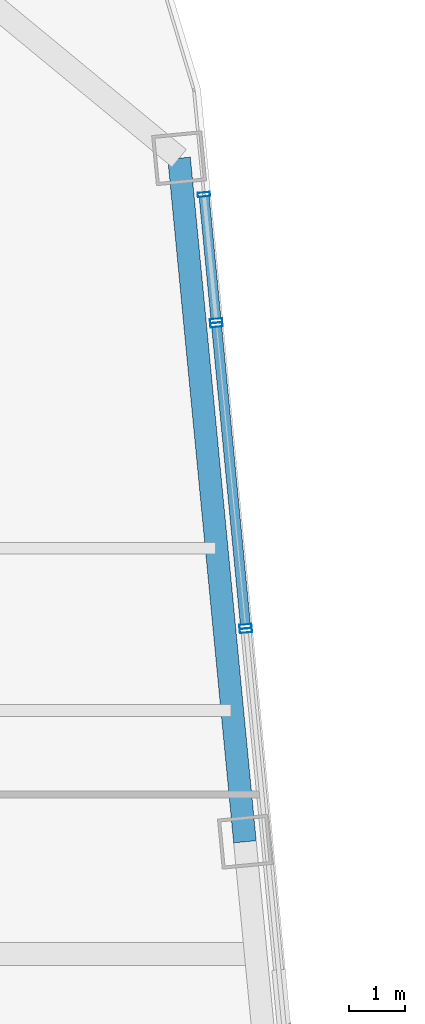
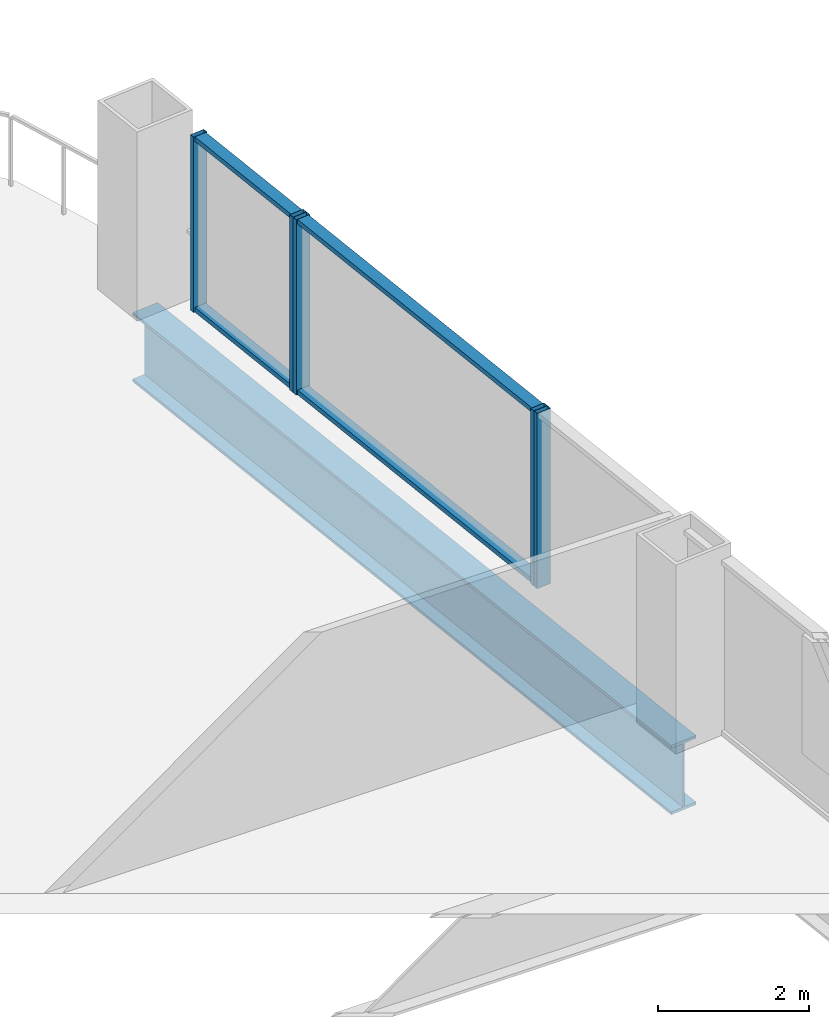
# One storey, part 19 of 26: 9 members, 1 beam, 3 elements without a shape of their own.
"""IFC4 building model written with IfcOpenShell, lengths in metres."""

from ifc_helpers import new_model, si_unit, direction, frame, origin, origin_2d, place, context, subcontext, project, spatial, hollow_rectangle, i_section, extrude, material, layer, layer_set, material_profile, profile_set, type_object, element, aggregate, save


model = new_model("IFC4")

# Units and contexts
model_context = context("Model", 3, precision=1e-05, world=origin(), true_north=direction((0.0, 1.0)))
body_context = subcontext(model_context, "Body", "Model", "MODEL_VIEW")
ifc_project = project(units=[si_unit("LENGTHUNIT", "METRE"), si_unit("AREAUNIT", "SQUARE_METRE"), si_unit("VOLUMEUNIT", "CUBIC_METRE"), si_unit("PLANEANGLEUNIT", "RADIAN"), si_unit("MASSUNIT", "GRAM", prefix="KILO")], contexts=[model_context])

# Site, building, storey
site_placement = place(None, origin())
site = spatial("IfcSite", under=ifc_project, at=site_placement, CompositionType="ELEMENT")
building_placement = place(site_placement, origin())
building = spatial("IfcBuilding", under=site, at=building_placement, Name="Qhalaya Broadcast Tower", CompositionType="ELEMENT")
storey_placement = place(building_placement, frame((0.0, 0.0, 72.5)))
storey = spatial("IfcBuildingStorey", under=building, at=storey_placement, Name="L20", CompositionType="ELEMENT", Elevation=72.5)

# Beam
ifc_material_1 = material(Name="Structural Steel ASTM A992 Grade 50", Category="steel")
ifc_material_profile_1 = material_profile(ifc_material_1, i_section(OverallWidth=0.404052734375, OverallDepth=1.117919921875, WebThickness=0.026123046875, FlangeThickness=0.044921875, at=origin_2d()), Name="W44X335")
ifc_profile_set_1 = profile_set([ifc_material_profile_1], Name="Structural Steel ASTM A992 Grade 50")
beam_type = type_object("IfcBeamType", Name="Podium Long-Span Primary Girder PG1", PredefinedType="USERDEFINED", material=ifc_profile_set_1)
beam_placement = place(storey_placement, frame((26.941162109375, 11.955078125, -0.779052734375), z_axis=(-0.095851586307, 0.99539563662, 0.0), x_axis=(-0.99539563662, -0.095851586307, 0.0)))
element("IfcBeam", 1, at=beam_placement, inside=storey, type_object=beam_type, Name="L20 PG1 L20-SPR-07", ObjectType="GIRDER", PredefinedType="USERDEFINED", context=body_context, shape_type="SweptSolid", body=[
    extrude(i_section(OverallWidth=0.404052734375, OverallDepth=1.117919921875, WebThickness=0.026123046875, FlangeThickness=0.044921875, at=origin_2d()), origin(), (0.0, 0.0, 1.0), 12.2666015625),
])

# Curtain wall, member
ifc_material_2 = material(Name="Fired Architectural Terracotta", Category="masonry")
ifc_layer_1 = layer(ifc_material_2, 0.219970703125, Name="Fired Architectural Terracotta")
ifc_layer_set_1 = layer_set([ifc_layer_1], Name="Fired Architectural Terracotta")
curtain_wall_type_1 = type_object("IfcCurtainWallType", Name="Block-Cap Unitised Terracotta Spandrel Wall CW-07", PredefinedType="NOTDEFINED", material=ifc_layer_set_1)
curtain_wall_1_placement = place(storey_placement, origin())
curtain_wall_1 = element("IfcCurtainWall", 2, at=curtain_wall_1_placement, inside=storey, type_object=curtain_wall_type_1, Name="L20 Unitised Curtain Wall L20-CW-E5", PredefinedType="NOTDEFINED")
ifc_material_3 = material(Name="Anodised Aluminium 6063-T6", Category="aluminium")
ifc_material_profile_2 = material_profile(ifc_material_3, hollow_rectangle(XDim=0.074951171875, YDim=0.219970703125, WallThickness=0.00390625, at=origin_2d()), Name="ALU-MUL 75x220x4")
ifc_profile_set_2 = profile_set([ifc_material_profile_2], Name="Anodised Aluminium 6063-T6")
member_type_1 = type_object("IfcMemberType", Name="Unitised Curtain-Wall Mullion M01", PredefinedType="MULLION", material=ifc_profile_set_2)
member_1_placement = place(storey_placement, frame((26.959716796875, 15.727294921875, 0.0), z_axis=(0.0, 0.0, 1.0), x_axis=(-0.095850652435, 0.995395726547, 0.0)))
member_1 = element("IfcMember", 3, at=member_1_placement, type_object=member_type_1, Name="CW-07 mullion 2", PredefinedType="MULLION", context=body_context, shape_type="SweptSolid", body=[
    extrude(hollow_rectangle(XDim=0.074951171875, YDim=0.219970703125, WallThickness=0.00390625, at=origin_2d()), origin(), (0.0, 0.0, 1.0), 2.830078125),
])
aggregate(curtain_wall_1, [member_1])

# Curtain wall, members
ifc_material_4 = material(Name="Solar-Control Low-E Triple Glazing", Category="glass")
ifc_layer_2 = layer(ifc_material_4, 0.219970703125, Name="Solar-Control Low-E Triple Glazing")
ifc_layer_set_2 = layer_set([ifc_layer_2], Name="Solar-Control Low-E Triple Glazing")
curtain_wall_type_2 = type_object("IfcCurtainWallType", Name="Even-Block 4-Storey Double-Module Curtain Wall CW-03", PredefinedType="NOTDEFINED", material=ifc_layer_set_2)
curtain_wall_2_placement = place(storey_placement, origin())
curtain_wall_2 = element("IfcCurtainWall", 4, at=curtain_wall_2_placement, inside=storey, type_object=curtain_wall_type_2, Name="L20 Unitised Curtain Wall L20-CW-E6", PredefinedType="NOTDEFINED")
member_2_placement = place(storey_placement, frame((26.952392578125, 15.802001953125, 0.0), z_axis=(0.0, 0.0, 1.0), x_axis=(-0.095844740112, 0.99539629585, 0.0)))
member_2 = element("IfcMember", 5, at=member_2_placement, type_object=member_type_1, Name="CW-03 mullion 1", PredefinedType="MULLION", context=body_context, shape_type="SweptSolid", body=[
    extrude(hollow_rectangle(XDim=0.074951171875, YDim=0.219970703125, WallThickness=0.00390625, at=origin_2d()), origin(), (0.0, 0.0, 1.0), 2.830078125),
])
member_3_placement = place(storey_placement, frame((26.433837890625, 21.18798828125, 0.0), z_axis=(0.0, 0.0, 1.0), x_axis=(-0.095844740112, 0.99539629585, 0.0)))
member_3 = element("IfcMember", 6, at=member_3_placement, type_object=member_type_1, Name="CW-03 mullion 2", PredefinedType="MULLION", context=body_context, shape_type="SweptSolid", body=[
    extrude(hollow_rectangle(XDim=0.074951171875, YDim=0.219970703125, WallThickness=0.00390625, at=origin_2d()), origin(), (0.0, 0.0, 1.0), 2.830078125),
])

curtain_wall_3_placement = place(storey_placement, origin())
curtain_wall_3 = element("IfcCurtainWall", 7, at=curtain_wall_3_placement, inside=storey, type_object=curtain_wall_type_1, Name="L20 Unitised Curtain Wall L20-CW-E7", PredefinedType="NOTDEFINED")
member_4_placement = place(storey_placement, frame((26.4267578125, 21.2626953125, 0.0), z_axis=(0.0, 0.0, 1.0), x_axis=(-0.09585164641, 0.995395630832, 0.0)))
member_4 = element("IfcMember", 8, at=member_4_placement, type_object=member_type_1, Name="CW-07 mullion 1", PredefinedType="MULLION", context=body_context, shape_type="SweptSolid", body=[
    extrude(hollow_rectangle(XDim=0.074951171875, YDim=0.219970703125, WallThickness=0.00390625, at=origin_2d()), origin(), (0.0, 0.0, 1.0), 2.830078125),
])
member_5_placement = place(storey_placement, frame((26.20947265625, 23.517333984375, 0.0), z_axis=(0.0, 0.0, 1.0), x_axis=(-0.09585164641, 0.995395630832, 0.0)))
member_5 = element("IfcMember", 9, at=member_5_placement, type_object=member_type_1, Name="CW-07 mullion 2", PredefinedType="MULLION", context=body_context, shape_type="SweptSolid", body=[
    extrude(hollow_rectangle(XDim=0.074951171875, YDim=0.219970703125, WallThickness=0.00390625, at=origin_2d()), origin(), (0.0, 0.0, 1.0), 2.830078125),
])

# Member
ifc_material_profile_3 = material_profile(ifc_material_3, hollow_rectangle(XDim=0.074951171875, YDim=0.179931640625, WallThickness=0.00390625, at=origin_2d()), Name="ALU-TRN 75x180x4")
ifc_profile_set_3 = profile_set([ifc_material_profile_3], Name="Anodised Aluminium 6063-T6")
member_type_2 = type_object("IfcMemberType", Name="Unitised Curtain-Wall Transom T01", PredefinedType="USERDEFINED", material=ifc_profile_set_3)
member_6_placement = place(storey_placement, frame((26.948974609375, 15.83935546875, 0.03759765625), z_axis=(-0.095856259068, 0.995395186646, 0.0), x_axis=(0.0, 0.0, 1.0)))
member_6 = element("IfcMember", 10, at=member_6_placement, type_object=member_type_2, Name="CW-03 transom 1.1", ObjectType="TRANSOM", PredefinedType="USERDEFINED", context=body_context, shape_type="SweptSolid", body=[
    extrude(hollow_rectangle(XDim=0.074951171875, YDim=0.179931640625, WallThickness=0.00390625, at=origin_2d()), origin(), (0.0, 0.0, 1.0), 5.3359375),
])

member_7_placement = place(storey_placement, frame((26.948974609375, 15.83935546875, 2.79248046875), z_axis=(-0.095856259068, 0.995395186646, 0.0), x_axis=(0.0, 0.0, 1.0)))
member_7 = element("IfcMember", 11, at=member_7_placement, type_object=member_type_2, Name="CW-03 transom 1.2", ObjectType="TRANSOM", PredefinedType="USERDEFINED", context=body_context, shape_type="SweptSolid", body=[
    extrude(hollow_rectangle(XDim=0.074951171875, YDim=0.179931640625, WallThickness=0.00390625, at=origin_2d()), origin(), (0.0, 0.0, 1.0), 5.3359375),
])

aggregate(curtain_wall_2, [member_2, member_3, member_6, member_7])

member_8_placement = place(storey_placement, frame((26.423095703125, 21.300048828125, 0.03759765625), z_axis=(-0.095871719122, 0.995393697726, 0.0), x_axis=(0.0, 0.0, 1.0)))
member_8 = element("IfcMember", 12, at=member_8_placement, type_object=member_type_2, Name="CW-07 transom 1.1", ObjectType="TRANSOM", PredefinedType="USERDEFINED", context=body_context, shape_type="SweptSolid", body=[
    extrude(hollow_rectangle(XDim=0.074951171875, YDim=0.179931640625, WallThickness=0.00390625, at=origin_2d()), origin(), (0.0, 0.0, 1.0), 2.18994140625),
])

member_9_placement = place(storey_placement, frame((26.423095703125, 21.300048828125, 2.79248046875), z_axis=(-0.095871719122, 0.995393697726, 0.0), x_axis=(0.0, 0.0, 1.0)))
member_9 = element("IfcMember", 13, at=member_9_placement, type_object=member_type_2, Name="CW-07 transom 1.2", ObjectType="TRANSOM", PredefinedType="USERDEFINED", context=body_context, shape_type="SweptSolid", body=[
    extrude(hollow_rectangle(XDim=0.074951171875, YDim=0.179931640625, WallThickness=0.00390625, at=origin_2d()), origin(), (0.0, 0.0, 1.0), 2.18994140625),
])

aggregate(curtain_wall_3, [member_4, member_5, member_8, member_9])

save(model, "model.ifc")
